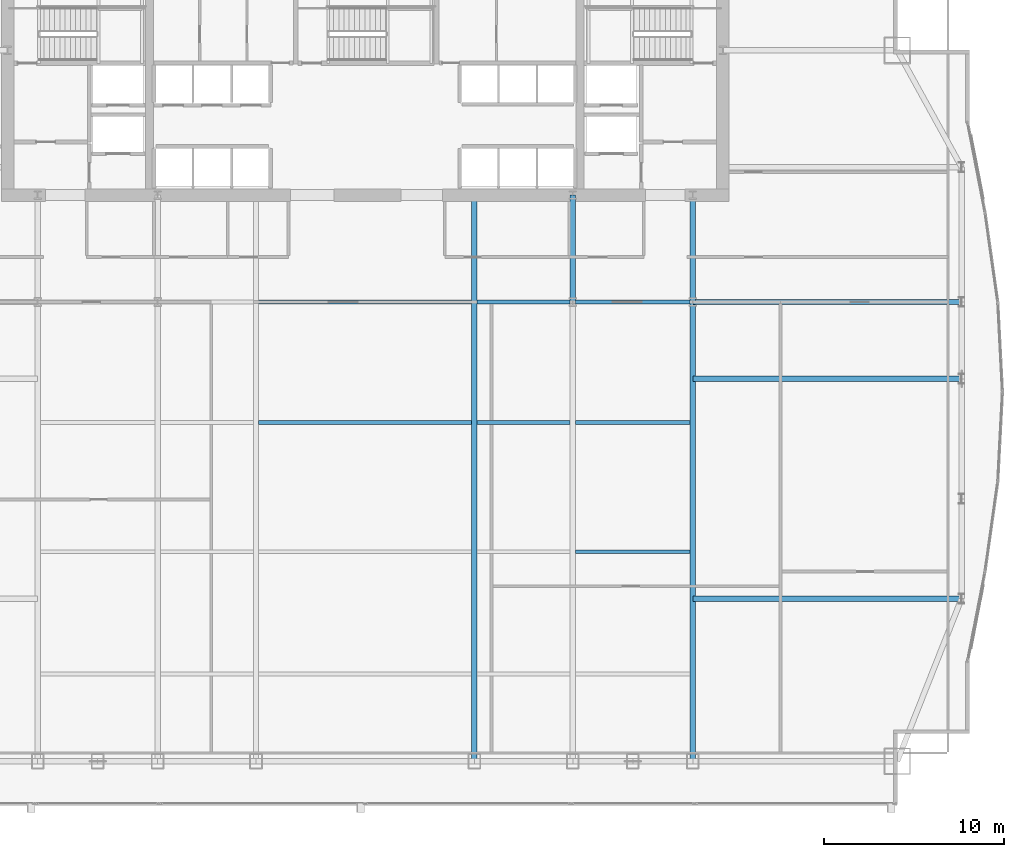
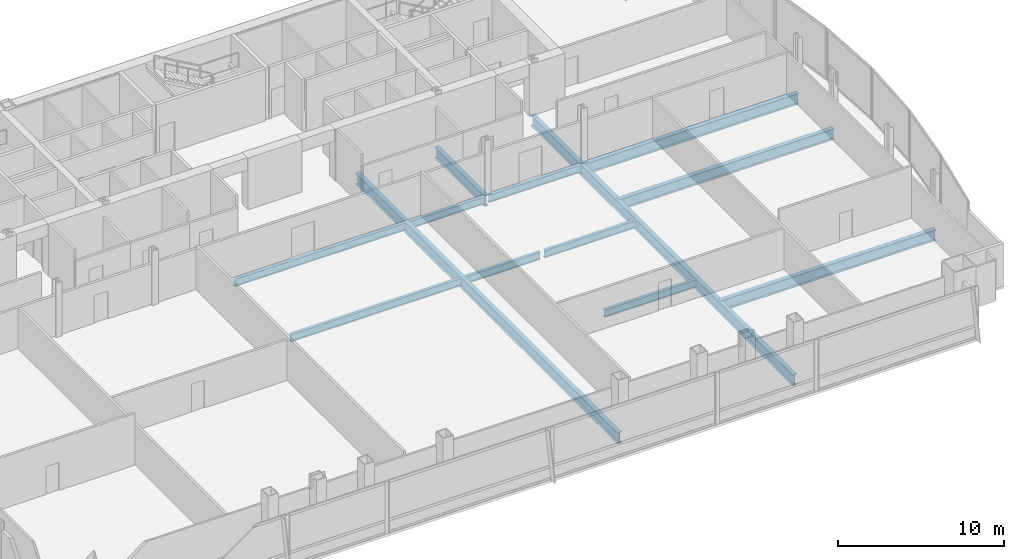
# One storey, part 16 of 34: 14 beams.
"""IFC4 building model written with IfcOpenShell, lengths in metres."""

from ifc_helpers import new_model, si_unit, direction, frame, origin, origin_2d, place, context, subcontext, project, spatial, i_section, extrude, material, material_profile, profile_set, type_object, element, save


model = new_model("IFC4")

# Units and contexts
model_context = context("Model", 3, precision=1e-05, world=origin(), true_north=direction((0.0, 1.0)))
body_context = subcontext(model_context, "Body", "Model", "MODEL_VIEW")
ifc_project = project(units=[si_unit("LENGTHUNIT", "METRE"), si_unit("AREAUNIT", "SQUARE_METRE"), si_unit("VOLUMEUNIT", "CUBIC_METRE"), si_unit("PLANEANGLEUNIT", "RADIAN"), si_unit("MASSUNIT", "GRAM", prefix="KILO")], contexts=[model_context])

# Site, building, storey
site_placement = place(None, origin())
site = spatial("IfcSite", under=ifc_project, at=site_placement, CompositionType="ELEMENT")
building_placement = place(site_placement, origin())
building = spatial("IfcBuilding", under=site, at=building_placement, Name="Khoronbel Lancet Exchange", CompositionType="ELEMENT")
storey_placement = place(building_placement, frame((0.0, 0.0, 102.60009765625)))
storey = spatial("IfcBuildingStorey", under=building, at=storey_placement, Name="L24", CompositionType="ELEMENT", Elevation=102.60009765625)

# Beams
ifc_material = material(Name="Steel S355", Category="steel")
ifc_material_profile_1 = material_profile(ifc_material, i_section(OverallWidth=0.300048828125, OverallDepth=0.800048828125, WebThickness=0.017578125, FlangeThickness=0.032958984375, at=origin_2d()), Name="HEB 800")
ifc_profile_set_1 = profile_set([ifc_material_profile_1], Name="Steel S355")
beam_type_1 = type_object("IfcBeamType", Name="BM-BG2", PredefinedType="BEAM", material=ifc_profile_set_1)
beam_1_placement = place(storey_placement, frame((42.52490234375, 10.14990234375, -0.580078125), z_axis=(0.0, 1.0, 0.0), x_axis=(-1.0, 0.0, 0.0)))
element("IfcBeam", 1, at=beam_1_placement, inside=storey, type_object=beam_type_1, Name="Level L24 primary floor girder G4", PredefinedType="BEAM", context=body_context, shape_type="SweptSolid", body=[
    extrude(i_section(OverallWidth=0.300048828125, OverallDepth=0.800048828125, WebThickness=0.017578125, FlangeThickness=0.032958984375, at=origin_2d()), origin(), (0.0, 0.0, 1.0), 31.5),
])
beam_2_placement = place(storey_placement, frame((48.0, 35.699951171875, -0.580078125), z_axis=(0.0, 1.0, 0.0), x_axis=(-1.0, 0.0, 0.0)))
element("IfcBeam", 2, at=beam_2_placement, inside=storey, type_object=beam_type_1, Name="Level L24 spine tie girder GN5", PredefinedType="BEAM", context=body_context, shape_type="SweptSolid", body=[
    extrude(i_section(OverallWidth=0.300048828125, OverallDepth=0.800048828125, WebThickness=0.017578125, FlangeThickness=0.032958984375, at=origin_2d()), origin(), (0.0, 0.0, 1.0), 5.949951171875),
])
beam_3_placement = place(storey_placement, frame((54.675048828125, 10.14990234375, -0.580078125), z_axis=(0.0, 1.0, 0.0), x_axis=(-1.0, 0.0, 0.0)))
element("IfcBeam", 3, at=beam_3_placement, inside=storey, type_object=beam_type_1, Name="Level L24 south primary girder GS6", PredefinedType="BEAM", context=body_context, shape_type="SweptSolid", body=[
    extrude(i_section(OverallWidth=0.300048828125, OverallDepth=0.800048828125, WebThickness=0.017578125, FlangeThickness=0.032958984375, at=origin_2d()), origin(), (0.0, 0.0, 1.0), 25.550048828125),
])
beam_4_placement = place(storey_placement, frame((54.675048828125, 35.699951171875, -0.580078125), z_axis=(0.0, 1.0, 0.0), x_axis=(-1.0, 0.0, 0.0)))
element("IfcBeam", 4, at=beam_4_placement, inside=storey, type_object=beam_type_1, Name="Level L24 spine tie girder GN6", PredefinedType="BEAM", context=body_context, shape_type="SweptSolid", body=[
    extrude(i_section(OverallWidth=0.300048828125, OverallDepth=0.800048828125, WebThickness=0.017578125, FlangeThickness=0.032958984375, at=origin_2d()), origin(), (0.0, 0.0, 1.0), 5.949951171875),
])
for number, where, z_axis, x_axis, name in (
    (5, (54.675048828125, 19.199951171875, -0.580078125), (1.0, 0.0, 0.0), (0.0, 1.0, 0.0), "Level L24 east lens tie girder LG1E"),
    (6, (54.675048828125, 31.425048828125, -0.580078125), (1.0, 0.0, 0.0), (0.0, 1.0, 0.0), "Level L24 east lens tie girder LG2E"),
    (7, (54.675048828125, 35.699951171875, -0.580078125), (1.0, 0.0, 0.0), (0.0, 1.0, 0.0), "Level L24 east lens tie girder LG4E"),
):
    element("IfcBeam", number, at=place(storey_placement, frame(where, z_axis=z_axis, x_axis=x_axis)), inside=storey, type_object=beam_type_1, Name=name, PredefinedType="BEAM", context=body_context, shape_type="SweptSolid", body=[
        extrude(i_section(OverallWidth=0.300048828125, OverallDepth=0.800048828125, WebThickness=0.017578125, FlangeThickness=0.032958984375, at=origin_2d()), origin(), (0.0, 0.0, 1.0), 14.954833984375),
    ])
ifc_material_profile_2 = material_profile(ifc_material, i_section(OverallWidth=0.2099609375, OverallDepth=0.550048828125, WebThickness=0.010986328125, FlangeThickness=0.01708984375, at=origin_2d()), Name="IPE 550")
ifc_profile_set_2 = profile_set([ifc_material_profile_2], Name="Steel S355")
beam_type_2 = type_object("IfcBeamType", Name="BM-BJ2", PredefinedType="JOIST", material=ifc_profile_set_2)
beam_5_placement = place(storey_placement, frame((48.14990234375, 21.800048828125, -0.455078125), z_axis=(1.0, 0.0, 0.0), x_axis=(0.0, 1.0, 0.0)))
element("IfcBeam", 8, at=beam_5_placement, inside=storey, type_object=beam_type_2, Name="Level L24 secondary composite joist J10", PredefinedType="JOIST", context=body_context, shape_type="SweptSolid", body=[
    extrude(i_section(OverallWidth=0.2099609375, OverallDepth=0.550048828125, WebThickness=0.010986328125, FlangeThickness=0.01708984375, at=origin_2d()), origin(), (0.0, 0.0, 1.0), 6.375),
])
beam_6_placement = place(storey_placement, frame((30.52490234375, 29.0, -0.455078125), z_axis=(1.0, 0.0, 0.0), x_axis=(0.0, 1.0, 0.0)))
element("IfcBeam", 9, at=beam_6_placement, inside=storey, type_object=beam_type_2, Name="Level L24 secondary composite joist J13", PredefinedType="JOIST", context=body_context, shape_type="SweptSolid", body=[
    extrude(i_section(OverallWidth=0.2099609375, OverallDepth=0.550048828125, WebThickness=0.010986328125, FlangeThickness=0.01708984375, at=origin_2d()), origin(), (0.0, 0.0, 1.0), 11.85009765625),
])
beam_7_placement = place(storey_placement, frame((42.675048828125, 29.0, -0.455078125), z_axis=(1.0, 0.0, 0.0), x_axis=(0.0, 1.0, 0.0)))
element("IfcBeam", 10, at=beam_7_placement, inside=storey, type_object=beam_type_2, Name="Level L24 secondary composite joist J14", PredefinedType="JOIST", context=body_context, shape_type="SweptSolid", body=[
    extrude(i_section(OverallWidth=0.2099609375, OverallDepth=0.550048828125, WebThickness=0.010986328125, FlangeThickness=0.01708984375, at=origin_2d()), origin(), (0.0, 0.0, 1.0), 5.175048828125),
])
beam_8_placement = place(storey_placement, frame((48.14990234375, 29.0, -0.455078125), z_axis=(1.0, 0.0, 0.0), x_axis=(0.0, 1.0, 0.0)))
element("IfcBeam", 11, at=beam_8_placement, inside=storey, type_object=beam_type_2, Name="Level L24 secondary composite joist J15", PredefinedType="JOIST", context=body_context, shape_type="SweptSolid", body=[
    extrude(i_section(OverallWidth=0.2099609375, OverallDepth=0.550048828125, WebThickness=0.010986328125, FlangeThickness=0.01708984375, at=origin_2d()), origin(), (0.0, 0.0, 1.0), 6.375),
])
beam_9_placement = place(storey_placement, frame((30.52490234375, 35.699951171875, -0.455078125), z_axis=(1.0, 0.0, 0.0), x_axis=(0.0, 1.0, 0.0)))
element("IfcBeam", 12, at=beam_9_placement, inside=storey, type_object=beam_type_2, Name="Level L24 secondary composite joist J18", PredefinedType="JOIST", context=body_context, shape_type="SweptSolid", body=[
    extrude(i_section(OverallWidth=0.2099609375, OverallDepth=0.550048828125, WebThickness=0.010986328125, FlangeThickness=0.01708984375, at=origin_2d()), origin(), (0.0, 0.0, 1.0), 11.85009765625),
])
beam_10_placement = place(storey_placement, frame((42.675048828125, 35.699951171875, -0.455078125), z_axis=(1.0, 0.0, 0.0), x_axis=(0.0, 1.0, 0.0)))
element("IfcBeam", 13, at=beam_10_placement, inside=storey, type_object=beam_type_2, Name="Level L24 secondary composite joist J19", PredefinedType="JOIST", context=body_context, shape_type="SweptSolid", body=[
    extrude(i_section(OverallWidth=0.2099609375, OverallDepth=0.550048828125, WebThickness=0.010986328125, FlangeThickness=0.01708984375, at=origin_2d()), origin(), (0.0, 0.0, 1.0), 5.175048828125),
])
beam_11_placement = place(storey_placement, frame((48.14990234375, 35.699951171875, -0.455078125), z_axis=(1.0, 0.0, 0.0), x_axis=(0.0, 1.0, 0.0)))
element("IfcBeam", 14, at=beam_11_placement, inside=storey, type_object=beam_type_2, Name="Level L24 secondary composite joist J20", PredefinedType="JOIST", context=body_context, shape_type="SweptSolid", body=[
    extrude(i_section(OverallWidth=0.2099609375, OverallDepth=0.550048828125, WebThickness=0.010986328125, FlangeThickness=0.01708984375, at=origin_2d()), origin(), (0.0, 0.0, 1.0), 6.375),
])

save(model, "model.ifc")
